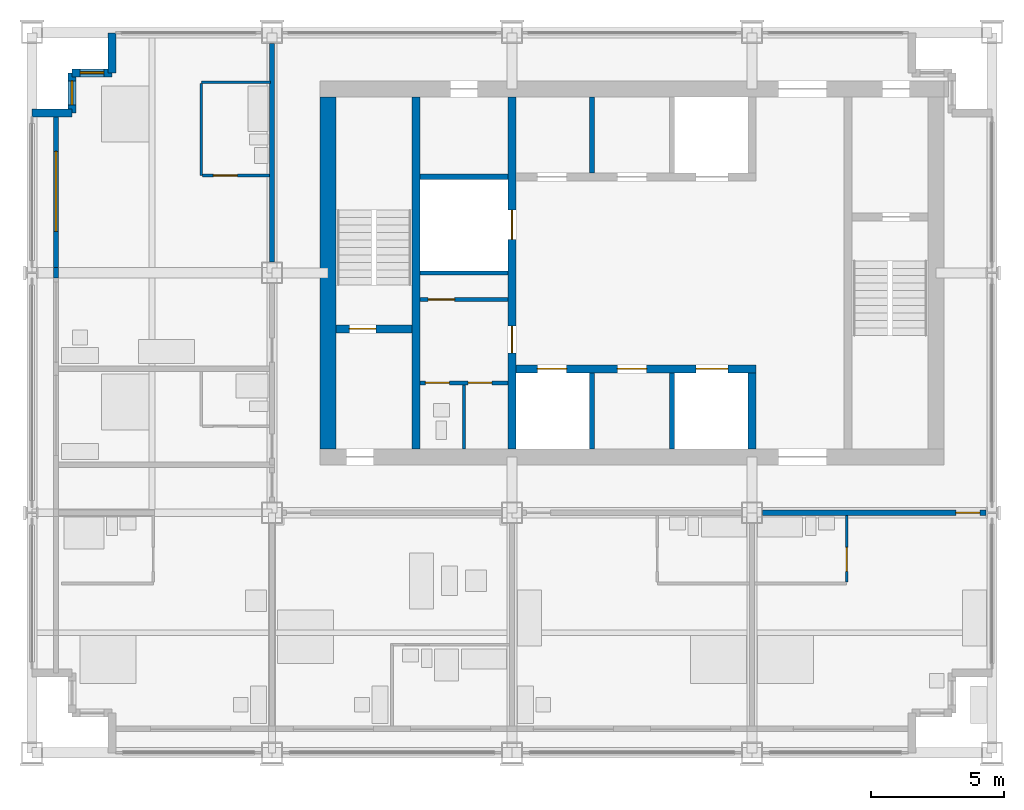
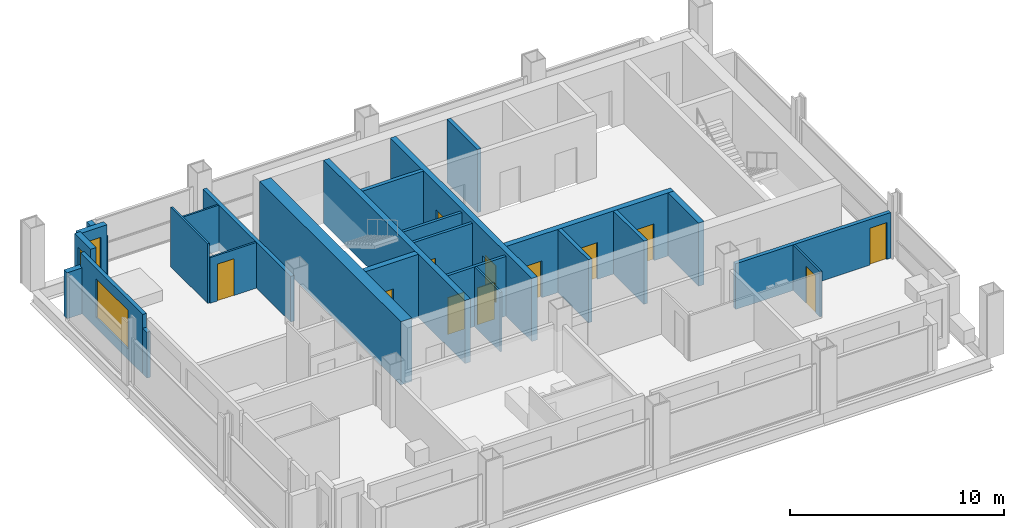
# One storey, part 7 of 11: 26 walls, 12 doors, 3 windows, 15 openings.
"""IFC4 building model written with IfcOpenShell, lengths in metres."""

from ifc_helpers import new_model, si_unit, direction, frame, frame_2d, origin, place, context, subcontext, project, spatial, rectangle, extrude, material, layer, layer_set, type_object, element, fill, save


model = new_model("IFC4")

# Units and contexts
model_context = context("Model", 3, precision=1e-05, world=origin(), true_north=direction((0.0, 1.0)))
body_context = subcontext(model_context, "Body", "Model", "MODEL_VIEW")
ifc_project = project(units=[si_unit("LENGTHUNIT", "METRE"), si_unit("AREAUNIT", "SQUARE_METRE"), si_unit("VOLUMEUNIT", "CUBIC_METRE"), si_unit("PLANEANGLEUNIT", "RADIAN"), si_unit("MASSUNIT", "GRAM", prefix="KILO")], contexts=[model_context])

# Site, building, storey
site_placement = place(None, origin())
site = spatial("IfcSite", under=ifc_project, at=site_placement, CompositionType="ELEMENT")
building_placement = place(site_placement, origin())
building = spatial("IfcBuilding", under=site, at=building_placement, Name="Loomwork Tower", CompositionType="ELEMENT")
storey_placement = place(building_placement, frame((0.0, 0.0, 241.0)))
storey = spatial("IfcBuildingStorey", under=building, at=storey_placement, Name="L66", CompositionType="ELEMENT", Elevation=241.0)

# Wall
ifc_material_1 = material(Name="Concrete 14000 psi (97 MPa)", Category="concrete")
ifc_layer_1 = layer(ifc_material_1, 0.300048828125)
ifc_layer_set_1 = layer_set([ifc_layer_1], Name="Core shear wall 300")
wall_type_1 = type_object("IfcWallType", Name="Core shear wall 300", PredefinedType="SHEAR", material=ifc_layer_set_1)
wall_1_placement = place(storey_placement, frame((14.39990234375, 11.39990234375, 0.0), z_axis=(0.0, 0.0, 1.0), x_axis=(0.0, 1.0, 0.0)))
element("IfcWall", 1, at=wall_1_placement, inside=storey, type_object=wall_type_1, Name="Stair A east wall L66", PredefinedType="SHEAR", context=body_context, shape_type="SweptSolid", body=[
    extrude(rectangle(XDim=13.2001953125, YDim=0.300048828125, at=frame_2d((6.60009765625, 0.0))), origin(), (0.0, 0.0, 1.0), 3.60009765625),
])

# Wall, opening, door
wall_2_placement = place(storey_placement, frame((11.39990234375, 15.89990234375, 0.0), z_axis=(0.0, 0.0, 1.0), x_axis=(1.0, 0.0, 0.0)))
wall_2 = element("IfcWall", 2, at=wall_2_placement, inside=storey, type_object=wall_type_1, Name="Stair A south wall L66", PredefinedType="SHEAR", context=body_context, shape_type="SweptSolid", body=[
    extrude(rectangle(XDim=2.85009765625, YDim=0.300048828125, at=frame_2d((1.425048828125, 0.0))), origin(), (0.0, 0.0, 1.0), 3.60009765625),
])
opening_1_placement = place(wall_2_placement, frame((0.5, 0.0, 0.0)))
opening_1 = element("IfcOpeningElement", 3, at=opening_1_placement, cuts=wall_2, Name="Opening D4", PredefinedType="OPENING", context=body_context, shape_type="SweptSolid", body=[
    extrude(rectangle(XDim=1.0, YDim=2.10009765625, at=frame_2d((0.5, 1.050048828125))), frame((0.0, 0.159912109375, 0.0), z_axis=(0.0, -1.0, 0.0), x_axis=(1.0, 0.0, 0.0)), (0.0, 0.0, 1.0), 0.320068359375),
])
ifc_material_2 = material(Name="Hollow metal door and frame")
door_type_1 = type_object("IfcDoorType", Name="Stair door 1000", OperationType="SINGLE_SWING_RIGHT", PredefinedType="DOOR", material=ifc_material_2)
door_1_placement = place(opening_1_placement, origin())
door_1 = element("IfcDoor", 4, at=door_1_placement, inside=storey, type_object=door_type_1, Name="Stair A door", OperationType="SINGLE_SWING_LEFT", OverallHeight=2.10009765625, OverallWidth=1.0, PredefinedType="DOOR", context=body_context, shape_type="SweptSolid", body=[
    extrude(rectangle(XDim=1.0, YDim=2.10009765625, at=frame_2d((0.5, 1.050048828125))), frame((0.0, 0.02490234375, 0.0), z_axis=(0.0, -1.0, 0.0), x_axis=(1.0, 0.0, 0.0)), (0.0, 0.0, 1.0), 0.050048828125),
])
fill(opening_1, door_1)

# Wall, openings, doors
wall_3_placement = place(storey_placement, frame((18.0, 11.39990234375, 0.0), z_axis=(0.0, 0.0, 1.0), x_axis=(0.0, 1.0, 0.0)))
wall_3 = element("IfcWall", 5, at=wall_3_placement, inside=storey, type_object=wall_type_1, Name="Lobby west wall L66", PredefinedType="SHEAR", context=body_context, shape_type="SweptSolid", body=[
    extrude(rectangle(XDim=13.2001953125, YDim=0.300048828125, at=frame_2d((6.60009765625, 0.0))), origin(), (0.0, 0.0, 1.0), 3.60009765625),
])
opening_2_placement = place(wall_3_placement, frame((3.60009765625, 0.0, 0.0)))
opening_2 = element("IfcOpeningElement", 6, at=opening_2_placement, cuts=wall_3, Name="Opening D5", PredefinedType="OPENING", context=body_context, shape_type="SweptSolid", body=[
    extrude(rectangle(XDim=1.0, YDim=2.10009765625, at=frame_2d((0.5, 1.050048828125))), frame((0.0, 0.159912109375, 0.0), z_axis=(0.0, -1.0, 0.0), x_axis=(1.0, 0.0, 0.0)), (0.0, 0.0, 1.0), 0.320068359375),
])
opening_3_placement = place(wall_3_placement, frame((7.85009765625, 0.0, 0.0)))
opening_3 = element("IfcOpeningElement", 7, at=opening_3_placement, cuts=wall_3, Name="Opening LD1", PredefinedType="OPENING", context=body_context, shape_type="SweptSolid", body=[
    extrude(rectangle(XDim=1.10009765625, YDim=2.10009765625, at=frame_2d((0.550048828125, 1.050048828125))), frame((0.0, 0.159912109375, 0.0), z_axis=(0.0, -1.0, 0.0), x_axis=(1.0, 0.0, 0.0)), (0.0, 0.0, 1.0), 0.320068359375),
])
ifc_material_3 = material(Name="Hollow metal door and frame")
door_type_2 = type_object("IfcDoorType", Name="Lift landing door 1100", OperationType="SLIDING_TO_LEFT", PredefinedType="DOOR", material=ifc_material_3)
door_2_placement = place(opening_3_placement, origin())
door_2 = element("IfcDoor", 8, at=door_2_placement, inside=storey, type_object=door_type_2, Name="Lift landing door LC2", OperationType="SLIDING_TO_LEFT", OverallHeight=2.10009765625, OverallWidth=1.10009765625, PredefinedType="DOOR", context=body_context, shape_type="SweptSolid", body=[
    extrude(rectangle(XDim=1.10009765625, YDim=2.10009765625, at=frame_2d((0.550048828125, 1.050048828125))), frame((0.0, 0.02490234375, 0.0), z_axis=(0.0, -1.0, 0.0), x_axis=(1.0, 0.0, 0.0)), (0.0, 0.0, 1.0), 0.050048828125),
])
fill(opening_3, door_2)
ifc_material_4 = material(Name="Hollow metal door and frame")
door_type_3 = type_object("IfcDoorType", Name="Service door 1000", OperationType="SINGLE_SWING_LEFT", PredefinedType="DOOR", material=ifc_material_4)
door_3_placement = place(opening_2_placement, origin())
door_3 = element("IfcDoor", 9, at=door_3_placement, inside=storey, type_object=door_type_3, Name="Back-of-house door south", OperationType="SINGLE_SWING_LEFT", OverallHeight=2.10009765625, OverallWidth=1.0, PredefinedType="DOOR", context=body_context, shape_type="SweptSolid", body=[
    extrude(rectangle(XDim=1.0, YDim=2.10009765625, at=frame_2d((0.5, 1.050048828125))), frame((0.0, 0.02490234375, 0.0), z_axis=(0.0, -1.0, 0.0), x_axis=(1.0, 0.0, 0.0)), (0.0, 0.0, 1.0), 0.050048828125),
])
fill(opening_2, door_3)

wall_4_placement = place(storey_placement, frame((18.14990234375, 14.39990234375, 0.0), z_axis=(0.0, 0.0, 1.0), x_axis=(1.0, 0.0, 0.0)))
wall_4 = element("IfcWall", 10, at=wall_4_placement, inside=storey, type_object=wall_type_1, Name="Lift front wall south L66", PredefinedType="SHEAR", context=body_context, shape_type="SweptSolid", body=[
    extrude(rectangle(XDim=9.0, YDim=0.300048828125, at=frame_2d((4.5, 0.0))), origin(), (0.0, 0.0, 1.0), 3.60009765625),
])
opening_4_placement = place(wall_4_placement, frame((0.800048828125, 0.0, 0.0)))
opening_4 = element("IfcOpeningElement", 11, at=opening_4_placement, cuts=wall_4, Name="Opening LD1", PredefinedType="OPENING", context=body_context, shape_type="SweptSolid", body=[
    extrude(rectangle(XDim=1.10009765625, YDim=2.10009765625, at=frame_2d((0.550048828125, 1.050048828125))), frame((0.0, 0.159912109375, 0.0), z_axis=(0.0, -1.0, 0.0), x_axis=(1.0, 0.0, 0.0)), (0.0, 0.0, 1.0), 0.320068359375),
])
opening_5_placement = place(wall_4_placement, frame((6.75, 0.0, 0.0)))
opening_5 = element("IfcOpeningElement", 12, at=opening_5_placement, cuts=wall_4, Name="Opening LD2", PredefinedType="OPENING", context=body_context, shape_type="SweptSolid", body=[
    extrude(rectangle(XDim=1.199951171875, YDim=2.10009765625, at=frame_2d((0.60009765625, 1.050048828125))), frame((0.0, 0.159912109375, 0.0), z_axis=(0.0, -1.0, 0.0), x_axis=(1.0, 0.0, 0.0)), (0.0, 0.0, 1.0), 0.320068359375),
])
opening_6_placement = place(wall_4_placement, frame((3.800048828125, 0.0, 0.0)))
opening_6 = element("IfcOpeningElement", 13, at=opening_6_placement, cuts=wall_4, Name="Opening D17", PredefinedType="OPENING", context=body_context, shape_type="SweptSolid", body=[
    extrude(rectangle(XDim=1.10009765625, YDim=2.10009765625, at=frame_2d((0.550048828125, 1.050048828125))), frame((0.0, 0.159912109375, 0.0), z_axis=(0.0, -1.0, 0.0), x_axis=(1.0, 0.0, 0.0)), (0.0, 0.0, 1.0), 0.320068359375),
])
door_4_placement = place(opening_4_placement, origin())
door_4 = element("IfcDoor", 14, at=door_4_placement, inside=storey, type_object=door_type_2, Name="Lift landing door LC1", OperationType="SLIDING_TO_LEFT", OverallHeight=2.10009765625, OverallWidth=1.10009765625, PredefinedType="DOOR", context=body_context, shape_type="SweptSolid", body=[
    extrude(rectangle(XDim=1.10009765625, YDim=2.10009765625, at=frame_2d((0.550048828125, 1.050048828125))), frame((0.0, 0.02490234375, 0.0), z_axis=(0.0, -1.0, 0.0), x_axis=(1.0, 0.0, 0.0)), (0.0, 0.0, 1.0), 0.050048828125),
])
fill(opening_4, door_4)
ifc_material_5 = material(Name="Hollow metal door and frame")
door_type_4 = type_object("IfcDoorType", Name="Lift landing door 1200", OperationType="SLIDING_TO_LEFT", PredefinedType="DOOR", material=ifc_material_5)
door_5_placement = place(opening_5_placement, origin())
door_5 = element("IfcDoor", 15, at=door_5_placement, inside=storey, type_object=door_type_4, Name="Lift landing door LF1", OperationType="SLIDING_TO_LEFT", OverallHeight=2.10009765625, OverallWidth=1.199951171875, PredefinedType="DOOR", context=body_context, shape_type="SweptSolid", body=[
    extrude(rectangle(XDim=1.199951171875, YDim=2.10009765625, at=frame_2d((0.60009765625, 1.050048828125))), frame((0.0, 0.02490234375, 0.0), z_axis=(0.0, -1.0, 0.0), x_axis=(1.0, 0.0, 0.0)), (0.0, 0.0, 1.0), 0.050048828125),
])
fill(opening_5, door_5)
ifc_material_6 = material(Name="Hollow metal door and frame")
door_type_5 = type_object("IfcDoorType", Name="Service room door 1100", OperationType="SINGLE_SWING_LEFT", PredefinedType="DOOR", material=ifc_material_6)
door_6_placement = place(opening_6_placement, frame((1.10009765625, 0.0, 0.0), z_axis=(0.0, 0.0, 1.0), x_axis=(-1.0, 0.0, 0.0)))
door_6 = element("IfcDoor", 16, at=door_6_placement, inside=storey, type_object=door_type_5, Name="IT and communications room door L66", OperationType="SINGLE_SWING_RIGHT", OverallHeight=2.10009765625, OverallWidth=1.10009765625, PredefinedType="DOOR", context=body_context, shape_type="SweptSolid", body=[
    extrude(rectangle(XDim=1.10009765625, YDim=2.10009765625, at=frame_2d((0.550048828125, 1.050048828125))), frame((0.0, 0.02490234375, 0.0), z_axis=(0.0, -1.0, 0.0), x_axis=(1.0, 0.0, 0.0)), (0.0, 0.0, 1.0), 0.050048828125),
])
fill(opening_6, door_6)

# Walls
wall_5_placement = place(storey_placement, frame((27.0, 11.39990234375, 0.0), z_axis=(0.0, 0.0, 1.0), x_axis=(0.0, 1.0, 0.0)))
element("IfcWall", 17, at=wall_5_placement, inside=storey, type_object=wall_type_1, Name="Lift shaft end wall south L66", PredefinedType="SHEAR", context=body_context, shape_type="SweptSolid", body=[
    extrude(rectangle(XDim=2.85009765625, YDim=0.300048828125, at=frame_2d((1.425048828125, 0.0))), origin(), (0.0, 0.0, 1.0), 3.60009765625),
])
ifc_material_7 = material(Name="Concrete 14000 psi (97 MPa)", Category="concrete")
ifc_layer_2 = layer(ifc_material_7, 0.60009765625)
ifc_layer_set_2 = layer_set([ifc_layer_2], Name="Core shear wall 600")
wall_type_2 = type_object("IfcWallType", Name="Core shear wall 600", PredefinedType="SHEAR", material=ifc_layer_set_2)
wall_6_placement = place(storey_placement, frame((11.10009765625, 11.39990234375, 0.0), z_axis=(0.0, 0.0, 1.0), x_axis=(0.0, 1.0, 0.0)))
element("IfcWall", 18, at=wall_6_placement, inside=storey, type_object=wall_type_2, Name="Core wall west L66", PredefinedType="SHEAR", context=body_context, shape_type="SweptSolid", body=[
    extrude(rectangle(XDim=13.2001953125, YDim=0.60009765625, at=frame_2d((6.60009765625, 0.0))), origin(), (0.0, 0.0, 1.0), 3.60009765625),
])

# Wall, opening, door
ifc_material_8 = material(Name="Gypsum board on steel studs, one-hour", Category="steel")
ifc_layer_3 = layer(ifc_material_8, 0.199951171875)
ifc_layer_set_3 = layer_set([ifc_layer_3], Name="Corridor wall 200")
wall_type_3 = type_object("IfcWallType", Name="Corridor wall 200", PredefinedType="PARTITIONING", material=ifc_layer_set_3)
wall_7_placement = place(storey_placement, frame((27.39990234375, 9.0, 0.0), z_axis=(0.0, 0.0, 1.0), x_axis=(1.0, 0.0, 0.0)))
wall_7 = element("IfcWall", 19, at=wall_7_placement, inside=storey, type_object=wall_type_3, Name="South corridor wall 4", PredefinedType="PARTITIONING", context=body_context, shape_type="SweptSolid", body=[
    extrude(rectangle(XDim=8.36767578125, YDim=0.199951171875, at=frame_2d((4.183837890625, 0.0))), origin(), (0.0, 0.0, 1.0), 2.60498046875),
])
opening_7_placement = place(wall_7_placement, frame((7.25, 0.0, 0.0)))
opening_7 = element("IfcOpeningElement", 20, at=opening_7_placement, cuts=wall_7, Name="Opening D1", PredefinedType="OPENING", context=body_context, shape_type="SweptSolid", body=[
    extrude(rectangle(XDim=0.89990234375, YDim=2.10009765625, at=frame_2d((0.449951171875, 1.050048828125))), frame((0.0, 0.10986328125, 0.0), z_axis=(0.0, -1.0, 0.0), x_axis=(1.0, 0.0, 0.0)), (0.0, 0.0, 1.0), 0.219970703125),
])
ifc_material_9 = material(Name="Hollow metal door and frame")
door_type_6 = type_object("IfcDoorType", Name="Guest room entry door 900", OperationType="SINGLE_SWING_LEFT", PredefinedType="DOOR", material=ifc_material_9)
door_7_placement = place(opening_7_placement, frame((0.89990234375, 0.0, 0.0), z_axis=(0.0, 0.0, 1.0), x_axis=(-1.0, 0.0, 0.0)))
door_7 = element("IfcDoor", 21, at=door_7_placement, inside=storey, type_object=door_type_6, Name="Guest room entry door L66 4", OperationType="SINGLE_SWING_RIGHT", OverallHeight=2.10009765625, OverallWidth=0.89990234375, PredefinedType="DOOR", context=body_context, shape_type="SweptSolid", body=[
    extrude(rectangle(XDim=0.89990234375, YDim=2.10009765625, at=frame_2d((0.449951171875, 1.050048828125))), frame((0.0, 0.02490234375, 0.0), z_axis=(0.0, -1.0, 0.0), x_axis=(1.0, 0.0, 0.0)), (0.0, 0.0, 1.0), 0.050048828125),
])
fill(opening_7, door_7)

# Wall
wall_8_placement = place(storey_placement, frame((9.0, 18.39990234375, 0.0), z_axis=(0.0, 0.0, 1.0), x_axis=(0.0, 1.0, 0.0)))
element("IfcWall", 22, at=wall_8_placement, inside=storey, type_object=wall_type_3, Name="West corridor wall 2", PredefinedType="PARTITIONING", context=body_context, shape_type="SweptSolid", body=[
    extrude(rectangle(XDim=8.2001953125, YDim=0.199951171875, at=frame_2d((4.10009765625, 0.0))), origin(), (0.0, 0.0, 1.0), 2.60498046875),
])

# Wall, opening, door
ifc_material_10 = material(Name="Cement board on steel studs", Category="steel")
ifc_layer_4 = layer(ifc_material_10, 0.10009765625)
ifc_layer_set_4 = layer_set([ifc_layer_4], Name="En-suite partition 100")
wall_type_4 = type_object("IfcWallType", Name="En-suite partition 100", PredefinedType="PARTITIONING", material=ifc_layer_set_4)
wall_9_placement = place(storey_placement, frame((30.550048828125, 8.89990234375, 0.0), z_axis=(0.0, 0.0, 1.0), x_axis=(0.0, -1.0, 0.0)))
wall_9 = element("IfcWall", 23, at=wall_9_placement, inside=storey, type_object=wall_type_4, Name="En-suite side wall L66 room 4", PredefinedType="PARTITIONING", context=body_context, shape_type="SweptSolid", body=[
    extrude(rectangle(XDim=2.5, YDim=0.10009765625, at=frame_2d((1.25, 0.0))), origin(), (0.0, 0.0, 1.0), 2.60400390625),
])
opening_8_placement = place(wall_9_placement, frame((1.199951171875, 0.0, 0.0)))
opening_8 = element("IfcOpeningElement", 24, at=opening_8_placement, cuts=wall_9, Name="Opening D2", PredefinedType="OPENING", context=body_context, shape_type="SweptSolid", body=[
    extrude(rectangle(XDim=0.89990234375, YDim=2.10009765625, at=frame_2d((0.449951171875, 1.050048828125))), frame((0.0, 0.06005859375, 0.0), z_axis=(0.0, -1.0, 0.0), x_axis=(1.0, 0.0, 0.0)), (0.0, 0.0, 1.0), 0.1201171875),
])
ifc_material_11 = material(Name="Hollow metal door and frame")
door_type_7 = type_object("IfcDoorType", Name="En-suite door 900", OperationType="SINGLE_SWING_LEFT", PredefinedType="DOOR", material=ifc_material_11)
door_8_placement = place(opening_8_placement, frame((0.89990234375, 0.0, 0.0), z_axis=(0.0, 0.0, 1.0), x_axis=(-1.0, 0.0, 0.0)))
door_8 = element("IfcDoor", 25, at=door_8_placement, inside=storey, type_object=door_type_7, Name="En-suite door room 4", OperationType="SINGLE_SWING_LEFT", OverallHeight=2.10009765625, OverallWidth=0.89990234375, PredefinedType="DOOR", context=body_context, shape_type="SweptSolid", body=[
    extrude(rectangle(XDim=0.89990234375, YDim=2.10009765625, at=frame_2d((0.449951171875, 1.050048828125))), frame((0.0, 0.02490234375, 0.0), z_axis=(0.0, -1.0, 0.0), x_axis=(1.0, 0.0, 0.0)), (0.0, 0.0, 1.0), 0.050048828125),
])
fill(opening_8, door_8)

# Wall
wall_10_placement = place(storey_placement, frame((6.35009765625, 21.64990234375, 0.0), z_axis=(0.0, 0.0, 1.0), x_axis=(0.0, 1.0, 0.0)))
element("IfcWall", 26, at=wall_10_placement, inside=storey, type_object=wall_type_4, Name="En-suite wall L66 room 6", PredefinedType="PARTITIONING", context=body_context, shape_type="SweptSolid", body=[
    extrude(rectangle(XDim=3.4501953125, YDim=0.10009765625, at=frame_2d((1.72509765625, 0.0))), origin(), (0.0, 0.0, 1.0), 3.39990234375),
])

# Wall, opening, door
wall_11_placement = place(storey_placement, frame((8.89990234375, 21.64990234375, 0.0), z_axis=(0.0, 0.0, 1.0), x_axis=(-1.0, 0.0, 0.0)))
wall_11 = element("IfcWall", 27, at=wall_11_placement, inside=storey, type_object=wall_type_4, Name="En-suite side wall L66 room 6", PredefinedType="PARTITIONING", context=body_context, shape_type="SweptSolid", body=[
    extrude(rectangle(XDim=2.5, YDim=0.10009765625, at=frame_2d((1.25, 0.0))), origin(), (0.0, 0.0, 1.0), 2.60400390625),
])
opening_9_placement = place(wall_11_placement, frame((1.199951171875, 0.0, 0.0)))
opening_9 = element("IfcOpeningElement", 28, at=opening_9_placement, cuts=wall_11, Name="Opening D2", PredefinedType="OPENING", context=body_context, shape_type="SweptSolid", body=[
    extrude(rectangle(XDim=0.89990234375, YDim=2.10009765625, at=frame_2d((0.449951171875, 1.050048828125))), frame((0.0, 0.06005859375, 0.0), z_axis=(0.0, -1.0, 0.0), x_axis=(1.0, 0.0, 0.0)), (0.0, 0.0, 1.0), 0.1201171875),
])
door_9_placement = place(opening_9_placement, frame((0.89990234375, 0.0, 0.0), z_axis=(0.0, 0.0, 1.0), x_axis=(-1.0, 0.0, 0.0)))
door_9 = element("IfcDoor", 29, at=door_9_placement, inside=storey, type_object=door_type_7, Name="En-suite door room 6", OperationType="SINGLE_SWING_LEFT", OverallHeight=2.10009765625, OverallWidth=0.89990234375, PredefinedType="DOOR", context=body_context, shape_type="SweptSolid", body=[
    extrude(rectangle(XDim=0.89990234375, YDim=2.10009765625, at=frame_2d((0.449951171875, 1.050048828125))), frame((0.0, 0.02490234375, 0.0), z_axis=(0.0, -1.0, 0.0), x_axis=(1.0, 0.0, 0.0)), (0.0, 0.0, 1.0), 0.050048828125),
])
fill(opening_9, door_9)

# Walls
wall_12_placement = place(storey_placement, frame((6.35009765625, 25.14990234375, 0.0), z_axis=(0.0, 0.0, 1.0), x_axis=(1.0, 0.0, 0.0)))
element("IfcWall", 30, at=wall_12_placement, inside=storey, type_object=wall_type_4, Name="En-suite wall L66 stub", PredefinedType="PARTITIONING", context=body_context, shape_type="SweptSolid", body=[
    extrude(rectangle(XDim=2.599853515625, YDim=0.10009765625, at=frame_2d((1.2998046875, 0.0))), origin(), (0.0, 0.0, 1.0), 2.60400390625),
])
wall_13_placement = place(storey_placement, frame((16.199951171875, 11.39990234375, 0.0), z_axis=(0.0, 0.0, 1.0), x_axis=(0.0, 1.0, 0.0)))
element("IfcWall", 31, at=wall_13_placement, inside=storey, type_object=wall_type_4, Name="Back-of-house partition L66 2", PredefinedType="PARTITIONING", context=body_context, shape_type="SweptSolid", body=[
    extrude(rectangle(XDim=2.400146484375, YDim=0.10009765625, at=frame_2d((1.2001953125, 0.0))), origin(), (0.0, 0.0, 1.0), 3.39990234375),
])
ifc_material_12 = material(Name="Insulated steel stud wall with gypsum lining", Category="steel")
ifc_layer_5 = layer(ifc_material_12, 0.199951171875)
ifc_layer_set_5 = layer_set([ifc_layer_5], Name="Inner skin wall 200")
wall_type_5 = type_object("IfcWallType", Name="Inner skin wall 200", PredefinedType="SOLIDWALL", material=ifc_layer_set_5)
wall_14_placement = place(storey_placement, frame((0.89990234375, 17.80615234375, 0.0), z_axis=(0.0, 0.0, 1.0), x_axis=(0.0, 1.0, 0.0)))
element("IfcWall", 32, at=wall_14_placement, inside=storey, type_object=wall_type_5, Name="Inner skin wall W bay 6", PredefinedType="SOLIDWALL", context=body_context, shape_type="SweptSolid", body=[
    extrude(rectangle(XDim=0.3876953125, YDim=0.199951171875, at=frame_2d((0.19384765625, 0.0))), origin(), (0.0, 0.0, 1.0), 2.60400390625),
])

# Wall, opening, window
wall_15_placement = place(storey_placement, frame((0.89990234375, 18.19384765625, 0.0), z_axis=(0.0, 0.0, 1.0), x_axis=(0.0, 1.0, 0.0)))
wall_15 = element("IfcWall", 33, at=wall_15_placement, inside=storey, type_object=wall_type_5, Name="Inner skin wall W bay 7", PredefinedType="SOLIDWALL", context=body_context, shape_type="SweptSolid", body=[
    extrude(rectangle(XDim=5.80615234375, YDim=0.199951171875, at=frame_2d((2.903076171875, 0.0))), origin(), (0.0, 0.0, 1.0), 3.39990234375),
])
opening_10_placement = place(wall_15_placement, frame((1.356201171875, 0.0, 0.60009765625)))
opening_10 = element("IfcOpeningElement", 34, at=opening_10_placement, cuts=wall_15, Name="Opening CH1", PredefinedType="OPENING", context=body_context, shape_type="SweptSolid", body=[
    extrude(rectangle(XDim=3.0, YDim=2.199951171875, at=frame_2d((1.5, 1.10009765625))), frame((0.0, 0.10986328125, 0.0), z_axis=(0.0, -1.0, 0.0), x_axis=(1.0, 0.0, 0.0)), (0.0, 0.0, 1.0), 0.219970703125),
])
ifc_material_13 = material(Name="Aluminium frame with clear insulated glass", Category="aluminium")
window_type_1 = type_object("IfcWindowType", Name="Chicago window 3000", PartitioningType="TRIPLE_PANEL_VERTICAL", PredefinedType="WINDOW", material=ifc_material_13)
window_1_placement = place(opening_10_placement, origin())
window_1 = element("IfcWindow", 35, at=window_1_placement, inside=storey, type_object=window_type_1, Name="Chicago window L66 bay 6", OverallHeight=2.199951171875, OverallWidth=3.0, PartitioningType="TRIPLE_PANEL_VERTICAL", PredefinedType="WINDOW", context=body_context, shape_type="SweptSolid", body=[
    extrude(rectangle(XDim=3.0, YDim=2.199951171875, at=frame_2d((1.5, 1.10009765625))), frame((0.0, 0.030029296875, 0.0), z_axis=(0.0, -1.0, 0.0), x_axis=(1.0, 0.0, 0.0)), (0.0, 0.0, 1.0), 0.06005859375),
])
fill(opening_10, window_1)

# Walls
ifc_material_14 = material(Name="Concrete 14000 psi (97 MPa)", Category="concrete")
ifc_layer_6 = layer(ifc_material_14, 0.199951171875)
ifc_layer_set_6 = layer_set([ifc_layer_6], Name="Lift shaft wall 200")
wall_type_6 = type_object("IfcWallType", Name="Lift shaft wall 200", PredefinedType="SHEAR", material=ifc_layer_set_6)
for number, where, z_axis, x_axis, name in (
    (36, (21.0, 11.39990234375, 0.0), (0.0, 0.0, 1.0), (0.0, 1.0, 0.0), "Lift shaft separation wall south 1 L66"),
    (37, (24.0, 11.39990234375, 0.0), (0.0, 0.0, 1.0), (0.0, 1.0, 0.0), "Lift shaft separation wall south 2 L66"),
    (38, (21.0, 21.75, 0.0), (0.0, 0.0, 1.0), (0.0, 1.0, 0.0), "Lift shaft separation wall north 1 L66"),
):
    element("IfcWall", number, at=place(storey_placement, frame(where, z_axis=z_axis, x_axis=x_axis)), inside=storey, type_object=wall_type_6, Name=name, PredefinedType="SHEAR", context=body_context, shape_type="SweptSolid", body=[
        extrude(rectangle(XDim=2.85009765625, YDim=0.199951171875, at=frame_2d((1.425048828125, 0.0))), origin(), (0.0, 0.0, 1.0), 3.60009765625),
    ])
wall_16_placement = place(storey_placement, frame((14.550048828125, 21.60009765625, 0.0), z_axis=(0.0, 0.0, 1.0), x_axis=(1.0, 0.0, 0.0)))
element("IfcWall", 39, at=wall_16_placement, inside=storey, type_object=wall_type_6, Name="Lift shaft wall west north L66", PredefinedType="SHEAR", context=body_context, shape_type="SweptSolid", body=[
    extrude(rectangle(XDim=3.300048828125, YDim=0.199951171875, at=frame_2d((1.64990234375, 0.0))), origin(), (0.0, 0.0, 1.0), 3.60009765625),
])
ifc_material_15 = material(Name="Limestone on concrete masonry", Category="masonry")
ifc_layer_7 = layer(ifc_material_15, 0.300048828125)
ifc_layer_set_7 = layer_set([ifc_layer_7], Name="Limestone corner wall 300")
wall_type_7 = type_object("IfcWallType", Name="Limestone corner wall 300", PredefinedType="SOLIDWALL", material=ifc_layer_set_7)
wall_17_placement = place(storey_placement, frame((3.0, 27.0, 0.0), z_axis=(0.0, 0.0, 1.0), x_axis=(0.0, -1.0, 0.0)))
element("IfcWall", 40, at=wall_17_placement, inside=storey, type_object=wall_type_7, Name="Stone corner wall NW 1", PredefinedType="SOLIDWALL", context=body_context, shape_type="SweptSolid", body=[
    extrude(rectangle(XDim=1.5, YDim=0.300048828125, at=frame_2d((0.75, 0.0))), origin(), (0.0, 0.0, 1.0), 2.6201171875),
])

# Wall, opening, window
wall_18_placement = place(storey_placement, frame((3.0, 25.5, 0.0), z_axis=(0.0, 0.0, 1.0), x_axis=(-1.0, 0.0, 0.0)))
wall_18 = element("IfcWall", 41, at=wall_18_placement, inside=storey, type_object=wall_type_7, Name="Stone corner wall NW 2", PredefinedType="SOLIDWALL", context=body_context, shape_type="SweptSolid", body=[
    extrude(rectangle(XDim=1.5, YDim=0.300048828125, at=frame_2d((0.75, 0.0))), origin(), (0.0, 0.0, 1.0), 3.39990234375),
])
opening_11_placement = place(wall_18_placement, frame((0.300048828125, 0.0, 0.60009765625)))
opening_11 = element("IfcOpeningElement", 42, at=opening_11_placement, cuts=wall_18, Name="Opening CH2", PredefinedType="OPENING", context=body_context, shape_type="SweptSolid", body=[
    extrude(rectangle(XDim=0.89990234375, YDim=2.199951171875, at=frame_2d((0.449951171875, 1.10009765625))), frame((0.0, 0.159912109375, 0.0), z_axis=(0.0, -1.0, 0.0), x_axis=(1.0, 0.0, 0.0)), (0.0, 0.0, 1.0), 0.320068359375),
])
ifc_material_16 = material(Name="Aluminium frame with clear insulated glass", Category="aluminium")
window_type_2 = type_object("IfcWindowType", Name="Corner window 900", PartitioningType="SINGLE_PANEL", PredefinedType="WINDOW", material=ifc_material_16)
window_2_placement = place(opening_11_placement, origin())
window_2 = element("IfcWindow", 43, at=window_2_placement, inside=storey, type_object=window_type_2, Name="Corner window NW", OverallHeight=2.199951171875, OverallWidth=0.89990234375, PartitioningType="SINGLE_PANEL", PredefinedType="WINDOW", context=body_context, shape_type="SweptSolid", body=[
    extrude(rectangle(XDim=0.89990234375, YDim=2.199951171875, at=frame_2d((0.449951171875, 1.10009765625))), frame((0.0, 0.030029296875, 0.0), z_axis=(0.0, -1.0, 0.0), x_axis=(1.0, 0.0, 0.0)), (0.0, 0.0, 1.0), 0.06005859375),
])
fill(opening_11, window_2)

wall_19_placement = place(storey_placement, frame((1.5, 25.5, 0.0), z_axis=(0.0, 0.0, 1.0), x_axis=(0.0, -1.0, 0.0)))
wall_19 = element("IfcWall", 44, at=wall_19_placement, inside=storey, type_object=wall_type_7, Name="Stone corner wall NW 3", PredefinedType="SOLIDWALL", context=body_context, shape_type="SweptSolid", body=[
    extrude(rectangle(XDim=1.5, YDim=0.300048828125, at=frame_2d((0.75, 0.0))), origin(), (0.0, 0.0, 1.0), 3.39990234375),
])
opening_12_placement = place(wall_19_placement, frame((0.300048828125, 0.0, 0.60009765625)))
opening_12 = element("IfcOpeningElement", 45, at=opening_12_placement, cuts=wall_19, Name="Opening CH2", PredefinedType="OPENING", context=body_context, shape_type="SweptSolid", body=[
    extrude(rectangle(XDim=0.89990234375, YDim=2.199951171875, at=frame_2d((0.449951171875, 1.10009765625))), frame((0.0, 0.159912109375, 0.0), z_axis=(0.0, -1.0, 0.0), x_axis=(1.0, 0.0, 0.0)), (0.0, 0.0, 1.0), 0.320068359375),
])
window_3_placement = place(opening_12_placement, origin())
window_3 = element("IfcWindow", 46, at=window_3_placement, inside=storey, type_object=window_type_2, Name="Corner window NW", OverallHeight=2.199951171875, OverallWidth=0.89990234375, PartitioningType="SINGLE_PANEL", PredefinedType="WINDOW", context=body_context, shape_type="SweptSolid", body=[
    extrude(rectangle(XDim=0.89990234375, YDim=2.199951171875, at=frame_2d((0.449951171875, 1.10009765625))), frame((0.0, 0.030029296875, 0.0), z_axis=(0.0, -1.0, 0.0), x_axis=(1.0, 0.0, 0.0)), (0.0, 0.0, 1.0), 0.06005859375),
])
fill(opening_12, window_3)

# Walls
wall_20_placement = place(storey_placement, frame((1.5, 24.0, 0.0), z_axis=(0.0, 0.0, 1.0), x_axis=(-1.0, 0.0, 0.0)))
element("IfcWall", 47, at=wall_20_placement, inside=storey, type_object=wall_type_7, Name="Stone corner wall NW 4", PredefinedType="SOLIDWALL", context=body_context, shape_type="SweptSolid", body=[
    extrude(rectangle(XDim=1.5, YDim=0.300048828125, at=frame_2d((0.75, 0.0))), origin(), (0.0, 0.0, 1.0), 2.6201171875),
])
ifc_material_17 = material(Name="Gypsum board on steel studs", Category="steel")
ifc_layer_8 = layer(ifc_material_17, 0.14990234375)
ifc_layer_set_8 = layer_set([ifc_layer_8], Name="Partition 150 two-hour")
wall_type_8 = type_object("IfcWallType", Name="Partition 150 two-hour", PredefinedType="PARTITIONING", material=ifc_layer_set_8)
wall_21_placement = place(storey_placement, frame((14.550048828125, 18.0, 0.0), z_axis=(0.0, 0.0, 1.0), x_axis=(1.0, 0.0, 0.0)))
element("IfcWall", 48, at=wall_21_placement, inside=storey, type_object=wall_type_8, Name="Back-of-house dividing wall L66", PredefinedType="PARTITIONING", context=body_context, shape_type="SweptSolid", body=[
    extrude(rectangle(XDim=3.300048828125, YDim=0.14990234375, at=frame_2d((1.64990234375, 0.0))), origin(), (0.0, 0.0, 1.0), 3.39990234375),
])

# Wall, opening, door
ifc_material_18 = material(Name="Gypsum board on steel studs, one-hour", Category="steel")
ifc_layer_9 = layer(ifc_material_18, 0.14990234375)
ifc_layer_set_9 = layer_set([ifc_layer_9], Name="Service partition 150")
wall_type_9 = type_object("IfcWallType", Name="Service partition 150", PredefinedType="PARTITIONING", material=ifc_layer_set_9)
wall_22_placement = place(storey_placement, frame((14.550048828125, 17.0, 0.0), z_axis=(0.0, 0.0, 1.0), x_axis=(1.0, 0.0, 0.0)))
wall_22 = element("IfcWall", 49, at=wall_22_placement, inside=storey, type_object=wall_type_9, Name="Riser enclosure L66", PredefinedType="PARTITIONING", context=body_context, shape_type="SweptSolid", body=[
    extrude(rectangle(XDim=3.300048828125, YDim=0.14990234375, at=frame_2d((1.64990234375, 0.0))), origin(), (0.0, 0.0, 1.0), 3.39990234375),
])
opening_13_placement = place(wall_22_placement, frame((0.300048828125, 0.0, 0.0)))
opening_13 = element("IfcOpeningElement", 50, at=opening_13_placement, cuts=wall_22, Name="Opening D18", PredefinedType="OPENING", context=body_context, shape_type="SweptSolid", body=[
    extrude(rectangle(XDim=1.0, YDim=2.10009765625, at=frame_2d((0.5, 1.050048828125))), frame((0.0, 0.0849609375, 0.0), z_axis=(0.0, -1.0, 0.0), x_axis=(1.0, 0.0, 0.0)), (0.0, 0.0, 1.0), 0.169921875),
])
ifc_material_19 = material(Name="Hollow metal door and frame")
door_type_8 = type_object("IfcDoorType", Name="Ninety-minute service door 1000", OperationType="SINGLE_SWING_LEFT", PredefinedType="DOOR", material=ifc_material_19)
door_10_placement = place(opening_13_placement, frame((1.0, 0.0, 0.0), z_axis=(0.0, 0.0, 1.0), x_axis=(-1.0, 0.0, 0.0)))
door_10 = element("IfcDoor", 51, at=door_10_placement, inside=storey, type_object=door_type_8, Name="Riser access door", OperationType="SINGLE_SWING_RIGHT", OverallHeight=2.10009765625, OverallWidth=1.0, PredefinedType="DOOR", context=body_context, shape_type="SweptSolid", body=[
    extrude(rectangle(XDim=1.0, YDim=2.10009765625, at=frame_2d((0.5, 1.050048828125))), frame((0.0, 0.02490234375, 0.0), z_axis=(0.0, -1.0, 0.0), x_axis=(1.0, 0.0, 0.0)), (0.0, 0.0, 1.0), 0.050048828125),
])
fill(opening_13, door_10)

# Wall, openings, doors
wall_23_placement = place(storey_placement, frame((14.550048828125, 13.875, 0.0), z_axis=(0.0, 0.0, 1.0), x_axis=(1.0, 0.0, 0.0)))
wall_23 = element("IfcWall", 52, at=wall_23_placement, inside=storey, type_object=wall_type_9, Name="Back-of-house partition L66", PredefinedType="PARTITIONING", context=body_context, shape_type="SweptSolid", body=[
    extrude(rectangle(XDim=3.300048828125, YDim=0.14990234375, at=frame_2d((1.64990234375, 0.0))), origin(), (0.0, 0.0, 1.0), 3.39990234375),
])
opening_14_placement = place(wall_23_placement, frame((0.199951171875, 0.0, 0.0)))
opening_14 = element("IfcOpeningElement", 53, at=opening_14_placement, cuts=wall_23, Name="Opening D20", PredefinedType="OPENING", context=body_context, shape_type="SweptSolid", body=[
    extrude(rectangle(XDim=0.89990234375, YDim=2.10009765625, at=frame_2d((0.449951171875, 1.050048828125))), frame((0.0, 0.0849609375, 0.0), z_axis=(0.0, -1.0, 0.0), x_axis=(1.0, 0.0, 0.0)), (0.0, 0.0, 1.0), 0.169921875),
])
opening_15_placement = place(wall_23_placement, frame((1.800048828125, 0.0, 0.0)))
opening_15 = element("IfcOpeningElement", 54, at=opening_15_placement, cuts=wall_23, Name="Opening D20", PredefinedType="OPENING", context=body_context, shape_type="SweptSolid", body=[
    extrude(rectangle(XDim=0.89990234375, YDim=2.10009765625, at=frame_2d((0.449951171875, 1.050048828125))), frame((0.0, 0.0849609375, 0.0), z_axis=(0.0, -1.0, 0.0), x_axis=(1.0, 0.0, 0.0)), (0.0, 0.0, 1.0), 0.169921875),
])
ifc_material_20 = material(Name="Hollow metal door and frame")
door_type_9 = type_object("IfcDoorType", Name="Back-of-house door 900", OperationType="SINGLE_SWING_LEFT", PredefinedType="DOOR", material=ifc_material_20)
door_11_placement = place(opening_14_placement, frame((0.89990234375, 0.0, 0.0), z_axis=(0.0, 0.0, 1.0), x_axis=(-1.0, 0.0, 0.0)))
door_11 = element("IfcDoor", 55, at=door_11_placement, inside=storey, type_object=door_type_9, Name="Back-of-house room door", OperationType="SINGLE_SWING_RIGHT", OverallHeight=2.10009765625, OverallWidth=0.89990234375, PredefinedType="DOOR", context=body_context, shape_type="SweptSolid", body=[
    extrude(rectangle(XDim=0.89990234375, YDim=2.10009765625, at=frame_2d((0.449951171875, 1.050048828125))), frame((0.0, 0.02490234375, 0.0), z_axis=(0.0, -1.0, 0.0), x_axis=(1.0, 0.0, 0.0)), (0.0, 0.0, 1.0), 0.050048828125),
])
fill(opening_14, door_11)
door_12_placement = place(opening_15_placement, frame((0.89990234375, 0.0, 0.0), z_axis=(0.0, 0.0, 1.0), x_axis=(-1.0, 0.0, 0.0)))
door_12 = element("IfcDoor", 56, at=door_12_placement, inside=storey, type_object=door_type_9, Name="Back-of-house room door", OperationType="SINGLE_SWING_RIGHT", OverallHeight=2.10009765625, OverallWidth=0.89990234375, PredefinedType="DOOR", context=body_context, shape_type="SweptSolid", body=[
    extrude(rectangle(XDim=0.89990234375, YDim=2.10009765625, at=frame_2d((0.449951171875, 1.050048828125))), frame((0.0, 0.02490234375, 0.0), z_axis=(0.0, -1.0, 0.0), x_axis=(1.0, 0.0, 0.0)), (0.0, 0.0, 1.0), 0.050048828125),
])
fill(opening_15, door_12)

save(model, "model.ifc")
